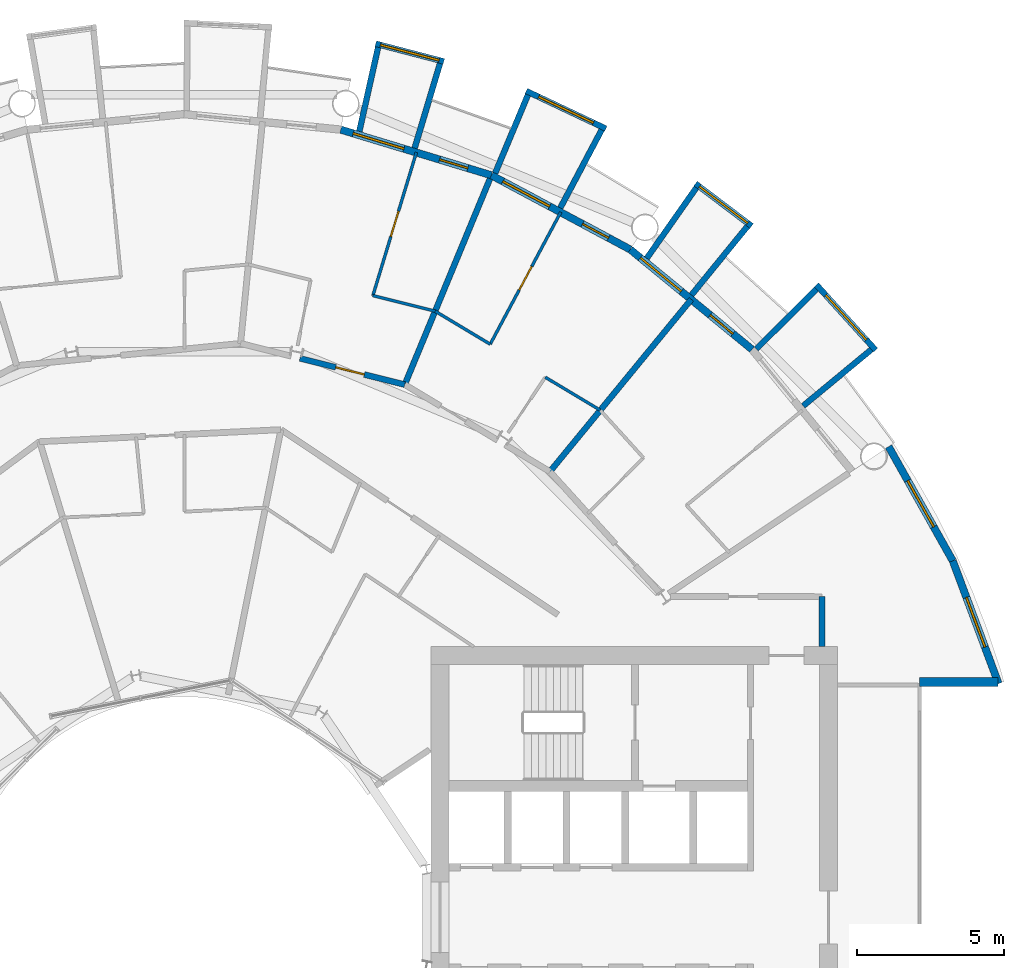
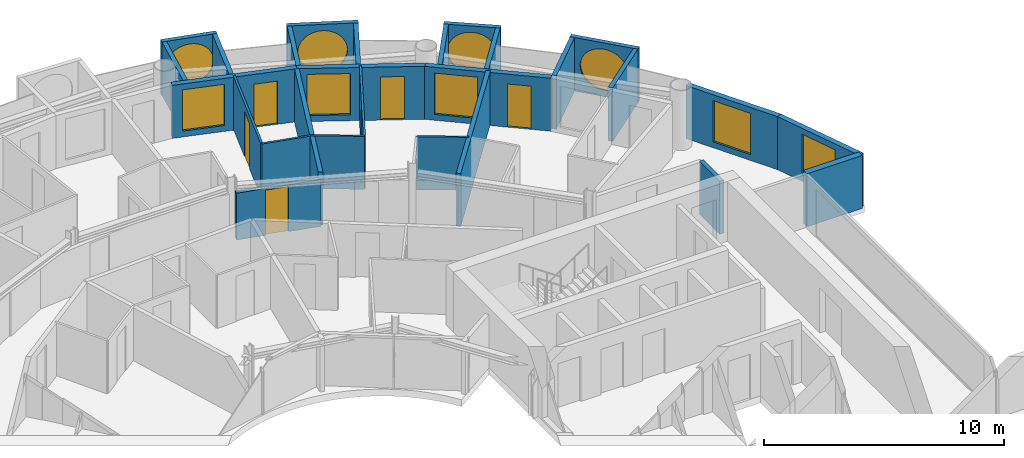
# One storey, part 23 of 26: 27 walls, 9 windows, 6 doors, 15 openings.
"""IFC4 building model written with IfcOpenShell, lengths in metres."""

from ifc_helpers import new_model, si_unit, direction, frame, frame_2d, origin, place, context, subcontext, project, spatial, rectangle, circle, extrude, material, layer, layer_set, type_object, element, fill, save


model = new_model("IFC4")

# Units and contexts
model_context = context("Model", 3, precision=1e-05, world=origin(), true_north=direction((0.0, 1.0)))
body_context = subcontext(model_context, "Body", "Model", "MODEL_VIEW")
ifc_project = project(units=[si_unit("LENGTHUNIT", "METRE"), si_unit("AREAUNIT", "SQUARE_METRE"), si_unit("VOLUMEUNIT", "CUBIC_METRE"), si_unit("PLANEANGLEUNIT", "RADIAN"), si_unit("MASSUNIT", "GRAM", prefix="KILO")], contexts=[model_context])

# Site, building, storey
site_placement = place(None, origin())
site = spatial("IfcSite", under=ifc_project, at=site_placement, CompositionType="ELEMENT")
building_placement = place(site_placement, origin())
building = spatial("IfcBuilding", under=site, at=building_placement, Name="Maasbend Ring Residences", CompositionType="ELEMENT")
storey_placement = place(building_placement, frame((0.0, 0.0, 123.85009765625)))
storey = spatial("IfcBuildingStorey", under=building, at=storey_placement, Name="L35", CompositionType="ELEMENT", Elevation=123.85009765625)

# Wall
ifc_material_1 = material(Name="Concrete C30/37", Category="concrete")
ifc_layer_1 = layer(ifc_material_1, 0.199951171875)
ifc_layer_set_1 = layer_set([ifc_layer_1], Name="Concrete C30/37")
wall_type_1 = type_object("IfcWallType", Name="CORRIDOR WALL 200 CONCRETE", PredefinedType="PARTITIONING", material=ifc_layer_set_1)
wall_1_placement = place(storey_placement, frame((21.675048828125, 9.199951171875, 0.0), z_axis=(0.0, 0.0, 1.0), x_axis=(0.0, 1.0, 0.0)))
element("IfcWall", 1, at=wall_1_placement, inside=storey, type_object=wall_type_1, Name="U-L35-w014", PredefinedType="PARTITIONING", context=body_context, shape_type="SweptSolid", body=[
    extrude(rectangle(XDim=1.699951171875, YDim=0.199951171875, at=frame_2d((0.85009765625, 0.0))), origin(), (0.0, 0.0, 1.0), 2.699951171875),
])

# Wall, opening, door
wall_2_placement = place(storey_placement, frame((3.93603515625, 19.0009765625, 0.0), z_axis=(0.0, 0.0, 1.0), x_axis=(0.970025155677, -0.243004521262, 0.0)))
wall_2 = element("IfcWall", 2, at=wall_2_placement, inside=storey, type_object=wall_type_1, Name="U-L35-w113", PredefinedType="PARTITIONING", context=body_context, shape_type="SweptSolid", body=[
    extrude(rectangle(XDim=3.675048828125, YDim=0.199951171875, at=frame_2d((1.83740234375, 0.0))), origin(), (0.0, 0.0, 1.0), 2.389892578125),
])
opening_1_placement = place(wall_2_placement, frame((1.258056640625, 0.0, 0.0)))
opening_1 = element("IfcOpeningElement", 3, at=opening_1_placement, cuts=wall_2, Name="Opening D-3507", PredefinedType="OPENING", context=body_context, shape_type="SweptSolid", body=[
    extrude(rectangle(XDim=1.0, YDim=2.300048828125, at=frame_2d((0.5, 1.14990234375))), frame((0.0, 0.10986328125, 0.0), z_axis=(0.0, -1.0, 0.0), x_axis=(1.0, 0.0, 0.0)), (0.0, 0.0, 1.0), 0.219970703125),
])
ifc_material_2 = material(Name="Timber, fire-rated, painted", Category="wood")
door_type_1 = type_object("IfcDoorType", Name="FLAT ENTRANCE DOOR 1000 X 2300 FIRE-RATED", OperationType="NOTDEFINED", PredefinedType="DOOR", material=ifc_material_2)
door_1_placement = place(opening_1_placement, origin())
door_1 = element("IfcDoor", 4, at=door_1_placement, inside=storey, type_object=door_type_1, Name="D-3507", OperationType="SINGLE_SWING_LEFT", OverallHeight=2.300048828125, OverallWidth=1.0, PredefinedType="DOOR", context=body_context, shape_type="SweptSolid", body=[
    extrude(rectangle(XDim=1.0, YDim=2.300048828125, at=frame_2d((0.5, 1.14990234375))), frame((0.0, 0.02490234375, 0.0), z_axis=(0.0, -1.0, 0.0), x_axis=(1.0, 0.0, 0.0)), (0.0, 0.0, 1.0), 0.050048828125),
])
fill(opening_1, door_1)

# Wall, opening, window
ifc_material_3 = material(Name="Pale anodised aluminium panel", Category="aluminium")
ifc_layer_2 = layer(ifc_material_3, 0.199951171875)
ifc_layer_set_2 = layer_set([ifc_layer_2], Name="EW-BOX")
wall_type_2 = type_object("IfcWallType", Name="EW-BOX", PredefinedType="SOLIDWALL", material=ifc_layer_set_2)
wall_3_placement = place(storey_placement, frame((23.5029296875, 19.281982421875, -0.030029296875), z_axis=(0.0, 0.0, 1.0), x_axis=(-0.671506829416, 0.740998365753, 0.0)))
wall_3 = element("IfcWall", 5, at=wall_3_placement, inside=storey, type_object=wall_type_2, Name="Box front N02", PredefinedType="SOLIDWALL", context=body_context, shape_type="SweptSolid", body=[
    extrude(rectangle(XDim=2.9931640625, YDim=0.199951171875, at=frame_2d((1.49658203125, 0.0))), origin(), (0.0, 0.0, 1.0), 2.72998046875),
])
opening_2_placement = place(wall_3_placement, frame((0.45654296875, 0.0, 0.330078125)))
opening_2 = element("IfcOpeningElement", 6, at=opening_2_placement, cuts=wall_3, Name="Opening W-RD", PredefinedType="OPENING", context=body_context, shape_type="SweptSolid", body=[
    extrude(circle(Radius=1.0400390625, at=frame_2d((1.0400390625, 1.0400390625))), frame((0.0, 0.10986328125, 0.0), z_axis=(0.0, -1.0, 0.0), x_axis=(1.0, 0.0, 0.0)), (0.0, 0.0, 1.0), 0.219970703125),
])
ifc_material_4 = material(Name="Aluminium and clear glass", Category="aluminium")
window_type_1 = type_object("IfcWindowType", Name="W-RD", PartitioningType="SINGLE_PANEL", PredefinedType="WINDOW", material=ifc_material_4)
window_1_placement = place(opening_2_placement, origin())
window_1 = element("IfcWindow", 7, at=window_1_placement, inside=storey, type_object=window_type_1, Name="Round window N02", OverallHeight=2.080078125, OverallWidth=2.080078125, PartitioningType="SINGLE_PANEL", PredefinedType="WINDOW", context=body_context, shape_type="SweptSolid", body=[
    extrude(circle(Radius=1.0400390625, at=frame_2d((1.0400390625, 1.0400390625))), frame((0.0, 0.030029296875, 0.0), z_axis=(0.0, -1.0, 0.0), x_axis=(1.0, 0.0, 0.0)), (0.0, 0.0, 1.0), 0.06005859375),
])
fill(opening_2, window_1)

# Walls
wall_4_placement = place(storey_placement, frame((21.041015625, 17.384033203125, -0.030029296875), z_axis=(0.0, 0.0, 1.0), x_axis=(0.770784861449, 0.63709551667, 0.0)))
element("IfcWall", 8, at=wall_4_placement, inside=storey, type_object=wall_type_2, Name="Box side wall N02 left", PredefinedType="SOLIDWALL", context=body_context, shape_type="SweptSolid", body=[
    extrude(rectangle(XDim=3.005859375, YDim=0.199951171875, at=frame_2d((1.5029296875, 0.0))), origin(), (0.0, 0.0, 1.0), 2.72998046875),
])
wall_5_placement = place(storey_placement, frame((19.449951171875, 19.322998046875, -0.030029296875), z_axis=(0.0, 0.0, 1.0), x_axis=(0.709727076896, 0.704476739375, 0.0)))
element("IfcWall", 9, at=wall_5_placement, inside=storey, type_object=wall_type_2, Name="Box side wall N02 right", PredefinedType="SOLIDWALL", context=body_context, shape_type="SweptSolid", body=[
    extrude(rectangle(XDim=2.883056640625, YDim=0.199951171875, at=frame_2d((1.44140625, 0.0))), origin(), (0.0, 0.0, 1.0), 2.72998046875),
])

# Wall, opening, window
wall_6_placement = place(storey_placement, frame((19.2890625, 23.4970703125, -0.030029296875), z_axis=(0.0, 0.0, 1.0), x_axis=(-0.797456837111, 0.603375996329, 0.0)))
wall_6 = element("IfcWall", 10, at=wall_6_placement, inside=storey, type_object=wall_type_2, Name="Box front N04", PredefinedType="SOLIDWALL", context=body_context, shape_type="SweptSolid", body=[
    extrude(rectangle(XDim=2.391357421875, YDim=0.199951171875, at=frame_2d((1.19580078125, 0.0))), origin(), (0.0, 0.0, 1.0), 2.72998046875),
])
opening_3_placement = place(wall_6_placement, frame((0.15576171875, 0.0, 0.330078125)))
opening_3 = element("IfcOpeningElement", 11, at=opening_3_placement, cuts=wall_6, Name="Opening W-RD", PredefinedType="OPENING", context=body_context, shape_type="SweptSolid", body=[
    extrude(circle(Radius=1.0400390625, at=frame_2d((1.0400390625, 1.0400390625))), frame((0.0, 0.10986328125, 0.0), z_axis=(0.0, -1.0, 0.0), x_axis=(1.0, 0.0, 0.0)), (0.0, 0.0, 1.0), 0.219970703125),
])
window_2_placement = place(opening_3_placement, origin())
window_2 = element("IfcWindow", 12, at=window_2_placement, inside=storey, type_object=window_type_1, Name="Round window N04", OverallHeight=2.080078125, OverallWidth=2.080078125, PartitioningType="SINGLE_PANEL", PredefinedType="WINDOW", context=body_context, shape_type="SweptSolid", body=[
    extrude(circle(Radius=1.0400390625, at=frame_2d((1.0400390625, 1.0400390625))), frame((0.0, 0.030029296875, 0.0), z_axis=(0.0, -1.0, 0.0), x_axis=(1.0, 0.0, 0.0)), (0.0, 0.0, 1.0), 0.06005859375),
])
fill(opening_3, window_2)

# Walls
wall_7_placement = place(storey_placement, frame((17.24609375, 21.155029296875, -0.030029296875), z_axis=(0.0, 0.0, 1.0), x_axis=(0.631741648902, 0.775179004516, 0.0)))
element("IfcWall", 13, at=wall_7_placement, inside=storey, type_object=wall_type_2, Name="Box side wall N04 left", PredefinedType="SOLIDWALL", context=body_context, shape_type="SweptSolid", body=[
    extrude(rectangle(XDim=3.005859375, YDim=0.199951171875, at=frame_2d((1.5029296875, 0.0))), origin(), (0.0, 0.0, 1.0), 2.72998046875),
])
wall_8_placement = place(storey_placement, frame((15.72607421875, 22.402099609375, -0.030029296875), z_axis=(0.0, 0.0, 1.0), x_axis=(0.574826383135, 0.818275399393, 0.0)))
element("IfcWall", 14, at=wall_8_placement, inside=storey, type_object=wall_type_2, Name="Box side wall N04 right", PredefinedType="SOLIDWALL", context=body_context, shape_type="SweptSolid", body=[
    extrude(rectangle(XDim=2.92919921875, YDim=0.199951171875, at=frame_2d((1.464599609375, 0.0))), origin(), (0.0, 0.0, 1.0), 2.72998046875),
])

# Wall, opening, window
wall_9_placement = place(storey_placement, frame((14.3349609375, 26.80810546875, -0.030029296875), z_axis=(0.0, 0.0, 1.0), x_axis=(-0.904000060331, 0.427532327342, 0.0)))
wall_9 = element("IfcWall", 15, at=wall_9_placement, inside=storey, type_object=wall_type_2, Name="Box front N06", PredefinedType="SOLIDWALL", context=body_context, shape_type="SweptSolid", body=[
    extrude(rectangle(XDim=2.993408203125, YDim=0.199951171875, at=frame_2d((1.49658203125, 0.0))), origin(), (0.0, 0.0, 1.0), 2.72998046875),
])
opening_4_placement = place(wall_9_placement, frame((0.45654296875, 0.0, 0.330078125)))
opening_4 = element("IfcOpeningElement", 16, at=opening_4_placement, cuts=wall_9, Name="Opening W-RD", PredefinedType="OPENING", context=body_context, shape_type="SweptSolid", body=[
    extrude(circle(Radius=1.0400390625, at=frame_2d((1.0400390625, 1.0400390625))), frame((0.0, 0.10986328125, 0.0), z_axis=(0.0, -1.0, 0.0), x_axis=(1.0, 0.0, 0.0)), (0.0, 0.0, 1.0), 0.219970703125),
])
window_3_placement = place(opening_4_placement, origin())
window_3 = element("IfcWindow", 17, at=window_3_placement, inside=storey, type_object=window_type_1, Name="Round window N06", OverallHeight=2.080078125, OverallWidth=2.080078125, PartitioningType="SINGLE_PANEL", PredefinedType="WINDOW", context=body_context, shape_type="SweptSolid", body=[
    extrude(circle(Radius=1.0400390625, at=frame_2d((1.0400390625, 1.0400390625))), frame((0.0, 0.030029296875, 0.0), z_axis=(0.0, -1.0, 0.0), x_axis=(1.0, 0.0, 0.0)), (0.0, 0.0, 1.0), 0.06005859375),
])
fill(opening_4, window_3)

# Walls
wall_10_placement = place(storey_placement, frame((12.787109375, 24.113037109375, -0.030029296875), z_axis=(0.0, 0.0, 1.0), x_axis=(0.468365282436, 0.883534924159, 0.0)))
element("IfcWall", 18, at=wall_10_placement, inside=storey, type_object=wall_type_2, Name="Box side wall N06 left", PredefinedType="SOLIDWALL", context=body_context, shape_type="SweptSolid", body=[
    extrude(rectangle(XDim=3.006103515625, YDim=0.199951171875, at=frame_2d((1.5029296875, 0.0))), origin(), (0.0, 0.0, 1.0), 2.72998046875),
])
wall_11_placement = place(storey_placement, frame((10.574951171875, 25.294921875, -0.030029296875), z_axis=(0.0, 0.0, 1.0), x_axis=(0.385697364644, 0.922625353492, 0.0)))
element("IfcWall", 19, at=wall_11_placement, inside=storey, type_object=wall_type_2, Name="Box side wall N06 right", PredefinedType="SOLIDWALL", context=body_context, shape_type="SweptSolid", body=[
    extrude(rectangle(XDim=2.88330078125, YDim=0.199951171875, at=frame_2d((1.441650390625, 0.0))), origin(), (0.0, 0.0, 1.0), 2.72998046875),
])

# Wall, opening, window
wall_12_placement = place(storey_placement, frame((8.827880859375, 29.090087890625, -0.030029296875), z_axis=(0.0, 0.0, 1.0), x_axis=(-0.967554339146, 0.252663018266, 0.0)))
wall_12 = element("IfcWall", 20, at=wall_12_placement, inside=storey, type_object=wall_type_2, Name="Box front N08", PredefinedType="SOLIDWALL", context=body_context, shape_type="SweptSolid", body=[
    extrude(rectangle(XDim=2.390625, YDim=0.199951171875, at=frame_2d((1.1953125, 0.0))), origin(), (0.0, 0.0, 1.0), 2.72998046875),
])
opening_5_placement = place(wall_12_placement, frame((0.15576171875, 0.0, 0.330078125)))
opening_5 = element("IfcOpeningElement", 21, at=opening_5_placement, cuts=wall_12, Name="Opening W-RD", PredefinedType="OPENING", context=body_context, shape_type="SweptSolid", body=[
    extrude(circle(Radius=1.0400390625, at=frame_2d((1.0400390625, 1.0400390625))), frame((0.0, 0.10986328125, 0.0), z_axis=(0.0, -1.0, 0.0), x_axis=(1.0, 0.0, 0.0)), (0.0, 0.0, 1.0), 0.219970703125),
])
window_4_placement = place(opening_5_placement, origin())
window_4 = element("IfcWindow", 22, at=window_4_placement, inside=storey, type_object=window_type_1, Name="Round window N08", OverallHeight=2.080078125, OverallWidth=2.080078125, PartitioningType="SINGLE_PANEL", PredefinedType="WINDOW", context=body_context, shape_type="SweptSolid", body=[
    extrude(circle(Radius=1.0400390625, at=frame_2d((1.0400390625, 1.0400390625))), frame((0.0, 0.030029296875, 0.0), z_axis=(0.0, -1.0, 0.0), x_axis=(1.0, 0.0, 0.0)), (0.0, 0.0, 1.0), 0.06005859375),
])
fill(opening_5, window_4)

# Walls
wall_13_placement = place(storey_placement, frame((7.8369140625, 26.14404296875, -0.030029296875), z_axis=(0.0, 0.0, 1.0), x_axis=(0.287064767992, 0.957911174889, 0.0)))
element("IfcWall", 23, at=wall_13_placement, inside=storey, type_object=wall_type_2, Name="Box side wall N08 left", PredefinedType="SOLIDWALL", context=body_context, shape_type="SweptSolid", body=[
    extrude(rectangle(XDim=3.00634765625, YDim=0.199951171875, at=frame_2d((1.503173828125, 0.0))), origin(), (0.0, 0.0, 1.0), 2.72998046875),
])
wall_14_placement = place(storey_placement, frame((5.95703125, 26.715087890625, -0.030029296875), z_axis=(0.0, 0.0, 1.0), x_axis=(0.217857287091, 0.975980636315, 0.0)))
element("IfcWall", 24, at=wall_14_placement, inside=storey, type_object=wall_type_2, Name="Box side wall N08 right", PredefinedType="SOLIDWALL", context=body_context, shape_type="SweptSolid", body=[
    extrude(rectangle(XDim=2.92822265625, YDim=0.199951171875, at=frame_2d((1.464111328125, 0.0))), origin(), (0.0, 0.0, 1.0), 2.72998046875),
])

# Wall, openings, door, window
ifc_material_5 = material(Name="Aluminium clad insulated panel", Category="aluminium")
ifc_layer_3 = layer(ifc_material_5, 0.25)
ifc_layer_set_3 = layer_set([ifc_layer_3], Name="EW-GL")
wall_type_3 = type_object("IfcWallType", Name="EW-GL", PredefinedType="SOLIDWALL", material=ifc_layer_set_3)
wall_15_placement = place(storey_placement, frame((19.303955078125, 19.303955078125, 0.0), z_axis=(0.0, 0.0, 1.0), x_axis=(-0.773019449054, 0.634382322723, 0.0)))
wall_15 = element("IfcWall", 25, at=wall_15_placement, inside=storey, type_object=wall_type_3, Name="External wall N02", PredefinedType="SOLIDWALL", context=body_context, shape_type="SweptSolid", body=[
    extrude(rectangle(XDim=5.351806640625, YDim=0.25, at=frame_2d((2.67578125, 0.0))), origin(), (0.0, 0.0, 1.0), 2.699951171875),
])
opening_6_placement = place(wall_15_placement, frame((0.841064453125, 0.0, 0.0)))
opening_6 = element("IfcOpeningElement", 26, at=opening_6_placement, cuts=wall_15, Name="Opening D-LG", PredefinedType="OPENING", context=body_context, shape_type="SweptSolid", body=[
    extrude(rectangle(XDim=1.0, YDim=2.199951171875, at=frame_2d((0.5, 1.10009765625))), frame((0.0, 0.135009765625, 0.0), z_axis=(0.0, -1.0, 0.0), x_axis=(1.0, 0.0, 0.0)), (0.0, 0.0, 1.0), 0.27001953125),
])
opening_7_placement = place(wall_15_placement, frame((3.110595703125, 0.0, 0.300048828125)))
opening_7 = element("IfcOpeningElement", 27, at=opening_7_placement, cuts=wall_15, Name="Opening W-BX", PredefinedType="OPENING", context=body_context, shape_type="SweptSolid", body=[
    extrude(rectangle(XDim=1.800048828125, YDim=2.10009765625, at=frame_2d((0.89990234375, 1.050048828125))), frame((0.0, 0.135009765625, 0.0), z_axis=(0.0, -1.0, 0.0), x_axis=(1.0, 0.0, 0.0)), (0.0, 0.0, 1.0), 0.27001953125),
])
ifc_material_6 = material(Name="Aluminium and clear glass", Category="aluminium")
door_type_2 = type_object("IfcDoorType", Name="D-LG", OperationType="SINGLE_SWING_LEFT", PredefinedType="DOOR", material=ifc_material_6)
door_2_placement = place(opening_6_placement, origin())
door_2 = element("IfcDoor", 28, at=door_2_placement, inside=storey, type_object=door_type_2, Name="Loggia door N03", OperationType="SINGLE_SWING_LEFT", OverallHeight=2.199951171875, OverallWidth=1.0, PredefinedType="DOOR", context=body_context, shape_type="SweptSolid", body=[
    extrude(rectangle(XDim=1.0, YDim=2.199951171875, at=frame_2d((0.5, 1.10009765625))), frame((0.0, 0.02490234375, 0.0), z_axis=(0.0, -1.0, 0.0), x_axis=(1.0, 0.0, 0.0)), (0.0, 0.0, 1.0), 0.050048828125),
])
fill(opening_6, door_2)
ifc_material_7 = material(Name="Aluminium and clear glass", Category="aluminium")
window_type_2 = type_object("IfcWindowType", Name="W-BX", PartitioningType="DOUBLE_PANEL_VERTICAL", PredefinedType="WINDOW", material=ifc_material_7)
window_5_placement = place(opening_7_placement, origin())
window_5 = element("IfcWindow", 29, at=window_5_placement, inside=storey, type_object=window_type_2, Name="Window N04 room to box", OverallHeight=2.10009765625, OverallWidth=1.800048828125, PartitioningType="SINGLE_PANEL", PredefinedType="WINDOW", context=body_context, shape_type="SweptSolid", body=[
    extrude(rectangle(XDim=1.800048828125, YDim=2.10009765625, at=frame_2d((0.89990234375, 1.050048828125))), frame((0.0, 0.030029296875, 0.0), z_axis=(0.0, -1.0, 0.0), x_axis=(1.0, 0.0, 0.0)), (0.0, 0.0, 1.0), 0.06005859375),
])
fill(opening_7, window_5)

wall_16_placement = place(storey_placement, frame((15.1669921875, 22.698974609375, 0.0), z_axis=(0.0, 0.0, 1.0), x_axis=(-0.881915646801, 0.471407246368, 0.0)))
wall_16 = element("IfcWall", 30, at=wall_16_placement, inside=storey, type_object=wall_type_3, Name="External wall N03", PredefinedType="SOLIDWALL", context=body_context, shape_type="SweptSolid", body=[
    extrude(rectangle(XDim=5.35205078125, YDim=0.25, at=frame_2d((2.676025390625, 0.0))), origin(), (0.0, 0.0, 1.0), 2.699951171875),
])
opening_8_placement = place(wall_16_placement, frame((0.841064453125, 0.0, 0.0)))
opening_8 = element("IfcOpeningElement", 31, at=opening_8_placement, cuts=wall_16, Name="Opening D-LG", PredefinedType="OPENING", context=body_context, shape_type="SweptSolid", body=[
    extrude(rectangle(XDim=1.0, YDim=2.199951171875, at=frame_2d((0.5, 1.10009765625))), frame((0.0, 0.135009765625, 0.0), z_axis=(0.0, -1.0, 0.0), x_axis=(1.0, 0.0, 0.0)), (0.0, 0.0, 1.0), 0.27001953125),
])
opening_9_placement = place(wall_16_placement, frame((3.110595703125, 0.0, 0.300048828125)))
opening_9 = element("IfcOpeningElement", 32, at=opening_9_placement, cuts=wall_16, Name="Opening W-BX", PredefinedType="OPENING", context=body_context, shape_type="SweptSolid", body=[
    extrude(rectangle(XDim=1.800048828125, YDim=2.10009765625, at=frame_2d((0.89990234375, 1.050048828125))), frame((0.0, 0.135009765625, 0.0), z_axis=(0.0, -1.0, 0.0), x_axis=(1.0, 0.0, 0.0)), (0.0, 0.0, 1.0), 0.27001953125),
])
door_3_placement = place(opening_8_placement, origin())
door_3 = element("IfcDoor", 33, at=door_3_placement, inside=storey, type_object=door_type_2, Name="Loggia door N05", OperationType="SINGLE_SWING_LEFT", OverallHeight=2.199951171875, OverallWidth=1.0, PredefinedType="DOOR", context=body_context, shape_type="SweptSolid", body=[
    extrude(rectangle(XDim=1.0, YDim=2.199951171875, at=frame_2d((0.5, 1.10009765625))), frame((0.0, 0.02490234375, 0.0), z_axis=(0.0, -1.0, 0.0), x_axis=(1.0, 0.0, 0.0)), (0.0, 0.0, 1.0), 0.050048828125),
])
fill(opening_8, door_3)
window_6_placement = place(opening_9_placement, origin())
window_6 = element("IfcWindow", 34, at=window_6_placement, inside=storey, type_object=window_type_2, Name="Window N06 room to box", OverallHeight=2.10009765625, OverallWidth=1.800048828125, PartitioningType="SINGLE_PANEL", PredefinedType="WINDOW", context=body_context, shape_type="SweptSolid", body=[
    extrude(rectangle(XDim=1.800048828125, YDim=2.10009765625, at=frame_2d((0.89990234375, 1.050048828125))), frame((0.0, 0.030029296875, 0.0), z_axis=(0.0, -1.0, 0.0), x_axis=(1.0, 0.0, 0.0)), (0.0, 0.0, 1.0), 0.06005859375),
])
fill(opening_9, window_6)

wall_17_placement = place(storey_placement, frame((10.447021484375, 25.221923828125, 0.0), z_axis=(0.0, 0.0, 1.0), x_axis=(-0.956965678721, 0.290201119486, 0.0)))
wall_17 = element("IfcWall", 35, at=wall_17_placement, inside=storey, type_object=wall_type_3, Name="External wall N04", PredefinedType="SOLIDWALL", context=body_context, shape_type="SweptSolid", body=[
    extrude(rectangle(XDim=5.351318359375, YDim=0.25, at=frame_2d((2.67578125, 0.0))), origin(), (0.0, 0.0, 1.0), 2.699951171875),
])
opening_10_placement = place(wall_17_placement, frame((0.841064453125, 0.0, 0.0)))
opening_10 = element("IfcOpeningElement", 36, at=opening_10_placement, cuts=wall_17, Name="Opening D-LG", PredefinedType="OPENING", context=body_context, shape_type="SweptSolid", body=[
    extrude(rectangle(XDim=1.0, YDim=2.199951171875, at=frame_2d((0.5, 1.10009765625))), frame((0.0, 0.135009765625, 0.0), z_axis=(0.0, -1.0, 0.0), x_axis=(1.0, 0.0, 0.0)), (0.0, 0.0, 1.0), 0.27001953125),
])
opening_11_placement = place(wall_17_placement, frame((3.110595703125, 0.0, 0.300048828125)))
opening_11 = element("IfcOpeningElement", 37, at=opening_11_placement, cuts=wall_17, Name="Opening W-BX", PredefinedType="OPENING", context=body_context, shape_type="SweptSolid", body=[
    extrude(rectangle(XDim=1.800048828125, YDim=2.10009765625, at=frame_2d((0.89990234375, 1.050048828125))), frame((0.0, 0.135009765625, 0.0), z_axis=(0.0, -1.0, 0.0), x_axis=(1.0, 0.0, 0.0)), (0.0, 0.0, 1.0), 0.27001953125),
])
door_4_placement = place(opening_10_placement, origin())
door_4 = element("IfcDoor", 38, at=door_4_placement, inside=storey, type_object=door_type_2, Name="Loggia door N07", OperationType="SINGLE_SWING_LEFT", OverallHeight=2.199951171875, OverallWidth=1.0, PredefinedType="DOOR", context=body_context, shape_type="SweptSolid", body=[
    extrude(rectangle(XDim=1.0, YDim=2.199951171875, at=frame_2d((0.5, 1.10009765625))), frame((0.0, 0.02490234375, 0.0), z_axis=(0.0, -1.0, 0.0), x_axis=(1.0, 0.0, 0.0)), (0.0, 0.0, 1.0), 0.050048828125),
])
fill(opening_10, door_4)
window_7_placement = place(opening_11_placement, origin())
window_7 = element("IfcWindow", 39, at=window_7_placement, inside=storey, type_object=window_type_2, Name="Window N08 room to box", OverallHeight=2.10009765625, OverallWidth=1.800048828125, PartitioningType="SINGLE_PANEL", PredefinedType="WINDOW", context=body_context, shape_type="SweptSolid", body=[
    extrude(rectangle(XDim=1.800048828125, YDim=2.10009765625, at=frame_2d((0.89990234375, 1.050048828125))), frame((0.0, 0.030029296875, 0.0), z_axis=(0.0, -1.0, 0.0), x_axis=(1.0, 0.0, 0.0)), (0.0, 0.0, 1.0), 0.06005859375),
])
fill(opening_11, window_7)

# Wall, opening, window
ifc_material_8 = material(Name="Aluminium clad insulated panel", Category="aluminium")
ifc_layer_4 = layer(ifc_material_8, 0.25)
ifc_layer_set_4 = layer_set([ifc_layer_4], Name="EW-HORN")
wall_type_4 = type_object("IfcWallType", Name="EW-HORN", PredefinedType="SOLIDWALL", material=ifc_layer_set_4)
wall_18_placement = place(storey_placement, frame((27.681884765625, 7.945068359375, 0.0), z_axis=(0.0, 0.0, 1.0), x_axis=(-0.349247811493, 0.937030397675, 0.0)))
wall_18 = element("IfcWall", 40, at=wall_18_placement, inside=storey, type_object=wall_type_4, Name="Horn wall 1.1", PredefinedType="SOLIDWALL", context=body_context, shape_type="SweptSolid", body=[
    extrude(rectangle(XDim=4.4521484375, YDim=0.25, at=frame_2d((2.22607421875, 0.0))), origin(), (0.0, 0.0, 1.0), 2.699951171875),
])
opening_12_placement = place(wall_18_placement, frame((1.32666015625, 0.0, 0.300048828125)))
opening_12 = element("IfcOpeningElement", 41, at=opening_12_placement, cuts=wall_18, Name="Opening W-BX", PredefinedType="OPENING", context=body_context, shape_type="SweptSolid", body=[
    extrude(rectangle(XDim=1.800048828125, YDim=2.10009765625, at=frame_2d((0.89990234375, 1.050048828125))), frame((0.0, 0.135009765625, 0.0), z_axis=(0.0, -1.0, 0.0), x_axis=(1.0, 0.0, 0.0)), (0.0, 0.0, 1.0), 0.27001953125),
])
window_8_placement = place(opening_12_placement, origin())
window_8 = element("IfcWindow", 42, at=window_8_placement, inside=storey, type_object=window_type_2, Name="Horn window 1.1", OverallHeight=2.10009765625, OverallWidth=1.800048828125, PartitioningType="SINGLE_PANEL", PredefinedType="WINDOW", context=body_context, shape_type="SweptSolid", body=[
    extrude(rectangle(XDim=1.800048828125, YDim=2.10009765625, at=frame_2d((0.89990234375, 1.050048828125))), frame((0.0, 0.030029296875, 0.0), z_axis=(0.0, -1.0, 0.0), x_axis=(1.0, 0.0, 0.0)), (0.0, 0.0, 1.0), 0.06005859375),
])
fill(opening_12, window_8)

wall_19_placement = place(storey_placement, frame((26.126953125, 12.116943359375, 0.0), z_axis=(0.0, 0.0, 1.0), x_axis=(-0.489696356642, 0.871893042919, 0.0)))
wall_19 = element("IfcWall", 43, at=wall_19_placement, inside=storey, type_object=wall_type_4, Name="Horn wall 1.2", PredefinedType="SOLIDWALL", context=body_context, shape_type="SweptSolid", body=[
    extrude(rectangle(XDim=4.45361328125, YDim=0.25, at=frame_2d((2.226806640625, 0.0))), origin(), (0.0, 0.0, 1.0), 2.699951171875),
])
opening_13_placement = place(wall_19_placement, frame((1.32666015625, 0.0, 0.300048828125)))
opening_13 = element("IfcOpeningElement", 44, at=opening_13_placement, cuts=wall_19, Name="Opening W-BX", PredefinedType="OPENING", context=body_context, shape_type="SweptSolid", body=[
    extrude(rectangle(XDim=1.800048828125, YDim=2.10009765625, at=frame_2d((0.89990234375, 1.050048828125))), frame((0.0, 0.135009765625, 0.0), z_axis=(0.0, -1.0, 0.0), x_axis=(1.0, 0.0, 0.0)), (0.0, 0.0, 1.0), 0.27001953125),
])
window_9_placement = place(opening_13_placement, origin())
window_9 = element("IfcWindow", 45, at=window_9_placement, inside=storey, type_object=window_type_2, Name="Horn window 1.2", OverallHeight=2.10009765625, OverallWidth=1.800048828125, PartitioningType="SINGLE_PANEL", PredefinedType="WINDOW", context=body_context, shape_type="SweptSolid", body=[
    extrude(rectangle(XDim=1.800048828125, YDim=2.10009765625, at=frame_2d((0.89990234375, 1.050048828125))), frame((0.0, 0.030029296875, 0.0), z_axis=(0.0, -1.0, 0.0), x_axis=(1.0, 0.0, 0.0)), (0.0, 0.0, 1.0), 0.06005859375),
])
fill(opening_13, window_9)

# Wall
ifc_material_9 = material(Name="Aluminium clad insulated panel", Category="aluminium")
ifc_layer_5 = layer(ifc_material_9, 0.300048828125)
ifc_layer_set_5 = layer_set([ifc_layer_5], Name="EW-RET")
wall_type_5 = type_object("IfcWallType", Name="EW-RET", PredefinedType="SOLIDWALL", material=ifc_layer_set_5)
wall_20_placement = place(storey_placement, frame((25.0, 8.0, 0.0), z_axis=(0.0, 0.0, 1.0), x_axis=(1.0, 0.0, 0.0)))
element("IfcWall", 46, at=wall_20_placement, inside=storey, type_object=wall_type_5, Name="Notch return wall east north", PredefinedType="SOLIDWALL", context=body_context, shape_type="SweptSolid", body=[
    extrude(rectangle(XDim=2.6669921875, YDim=0.300048828125, at=frame_2d((1.33349609375, 0.0))), origin(), (0.0, 0.0, 1.0), 2.699951171875),
])

# Wall, opening, door
ifc_material_10 = material(Name="Gypsum board on steel studs", Category="steel")
ifc_layer_6 = layer(ifc_material_10, 0.10009765625)
ifc_layer_set_6 = layer_set([ifc_layer_6], Name="PARTITION 100 GYPSUM")
wall_type_6 = type_object("IfcWallType", Name="PARTITION 100 GYPSUM", PredefinedType="PARTITIONING", material=ifc_layer_set_6)
wall_21_placement = place(storey_placement, frame((6.41796875, 21.133056640625, 0.0), z_axis=(0.0, 0.0, 1.0), x_axis=(0.290651827018, 0.956828885147, 0.0)))
wall_21 = element("IfcWall", 47, at=wall_21_placement, inside=storey, type_object=wall_type_6, Name="U-L35-w080", PredefinedType="PARTITIONING", context=body_context, shape_type="SweptSolid", body=[
    extrude(rectangle(XDim=5.088623046875, YDim=0.10009765625, at=frame_2d((2.54443359375, 0.0))), origin(), (0.0, 0.0, 1.0), 2.699951171875),
])
opening_14_placement = place(wall_21_placement, frame((2.093994140625, 0.0, 0.0)))
opening_14 = element("IfcOpeningElement", 48, at=opening_14_placement, cuts=wall_21, Name="Opening D-3509", PredefinedType="OPENING", context=body_context, shape_type="SweptSolid", body=[
    extrude(rectangle(XDim=0.89990234375, YDim=2.300048828125, at=frame_2d((0.449951171875, 1.14990234375))), frame((0.0, 0.06005859375, 0.0), z_axis=(0.0, -1.0, 0.0), x_axis=(1.0, 0.0, 0.0)), (0.0, 0.0, 1.0), 0.1201171875),
])
ifc_material_11 = material(Name="Timber, painted", Category="wood")
door_type_3 = type_object("IfcDoorType", Name="INTERNAL DOOR 900 X 2300", OperationType="NOTDEFINED", PredefinedType="DOOR", material=ifc_material_11)
door_5_placement = place(opening_14_placement, origin())
door_5 = element("IfcDoor", 49, at=door_5_placement, inside=storey, type_object=door_type_3, Name="D-3509", OperationType="SINGLE_SWING_LEFT", OverallHeight=2.300048828125, OverallWidth=0.89990234375, PredefinedType="DOOR", context=body_context, shape_type="SweptSolid", body=[
    extrude(rectangle(XDim=0.89990234375, YDim=2.300048828125, at=frame_2d((0.449951171875, 1.14990234375))), frame((0.0, 0.02490234375, 0.0), z_axis=(0.0, -1.0, 0.0), x_axis=(1.0, 0.0, 0.0)), (0.0, 0.0, 1.0), 0.050048828125),
])
fill(opening_14, door_5)

wall_22_placement = place(storey_placement, frame((10.405029296875, 19.48095703125, 0.0), z_axis=(0.0, 0.0, 1.0), x_axis=(0.471170755767, 0.882042016522, 0.0)))
wall_22 = element("IfcWall", 50, at=wall_22_placement, inside=storey, type_object=wall_type_6, Name="U-L35-w085", PredefinedType="PARTITIONING", context=body_context, shape_type="SweptSolid", body=[
    extrude(rectangle(XDim=5.08935546875, YDim=0.10009765625, at=frame_2d((2.544677734375, 0.0))), origin(), (0.0, 0.0, 1.0), 2.699951171875),
])
opening_15_placement = place(wall_22_placement, frame((2.094970703125, 0.0, 0.0)))
opening_15 = element("IfcOpeningElement", 51, at=opening_15_placement, cuts=wall_22, Name="Opening D-3506", PredefinedType="OPENING", context=body_context, shape_type="SweptSolid", body=[
    extrude(rectangle(XDim=0.89990234375, YDim=2.300048828125, at=frame_2d((0.449951171875, 1.14990234375))), frame((0.0, 0.06005859375, 0.0), z_axis=(0.0, -1.0, 0.0), x_axis=(1.0, 0.0, 0.0)), (0.0, 0.0, 1.0), 0.1201171875),
])
door_6_placement = place(opening_15_placement, origin())
door_6 = element("IfcDoor", 52, at=door_6_placement, inside=storey, type_object=door_type_3, Name="D-3506", OperationType="SINGLE_SWING_RIGHT", OverallHeight=2.300048828125, OverallWidth=0.89990234375, PredefinedType="DOOR", context=body_context, shape_type="SweptSolid", body=[
    extrude(rectangle(XDim=0.89990234375, YDim=2.300048828125, at=frame_2d((0.449951171875, 1.14990234375))), frame((0.0, 0.02490234375, 0.0), z_axis=(0.0, -1.0, 0.0), x_axis=(1.0, 0.0, 0.0)), (0.0, 0.0, 1.0), 0.050048828125),
])
fill(opening_15, door_6)

# Walls
wall_23_placement = place(storey_placement, frame((6.41796875, 21.133056640625, 0.0), z_axis=(0.0, 0.0, 1.0), x_axis=(0.97003047456, -0.242983288366, 0.0)))
element("IfcWall", 53, at=wall_23_placement, inside=storey, type_object=wall_type_6, Name="U-L35-w126", PredefinedType="PARTITIONING", context=body_context, shape_type="SweptSolid", body=[
    extrude(rectangle(XDim=2.181396484375, YDim=0.10009765625, at=frame_2d((1.0908203125, 0.0))), origin(), (0.0, 0.0, 1.0), 2.699951171875),
])
for number, where, z_axis, x_axis, name in (
    (54, (8.533935546875, 20.60302734375, 0.0), (0.0, 0.0, 1.0), (0.857611386679, -0.514298268943, 0.0), "U-L35-w127"),
    (55, (12.27587890625, 18.35888671875, 0.0), (0.0, 0.0, 1.0), (0.857660741648, -0.514215958752, 0.0), "U-L35-w128"),
):
    element("IfcWall", number, at=place(storey_placement, frame(where, z_axis=z_axis, x_axis=x_axis)), inside=storey, type_object=wall_type_6, Name=name, PredefinedType="PARTITIONING", context=body_context, shape_type="SweptSolid", body=[
        extrude(rectangle(XDim=2.181640625, YDim=0.10009765625, at=frame_2d((1.0908203125, 0.0))), origin(), (0.0, 0.0, 1.0), 2.699951171875),
    ])
ifc_material_12 = material(Name="Concrete C30/37", Category="concrete")
ifc_layer_7 = layer(ifc_material_12, 0.199951171875)
ifc_layer_set_7 = layer_set([ifc_layer_7], Name="Concrete C30/37")
wall_type_7 = type_object("IfcWallType", Name="PARTY WALL 200 CONCRETE", PredefinedType="PARTITIONING", material=ifc_layer_set_7)
wall_24_placement = place(storey_placement, frame((7.5009765625, 18.10791015625, 0.0), z_axis=(0.0, 0.0, 1.0), x_axis=(0.382490346157, 0.923959487801, 0.0)))
element("IfcWall", 56, at=wall_24_placement, inside=storey, type_object=wall_type_7, Name="U-L35-w082", PredefinedType="PARTITIONING", context=body_context, shape_type="SweptSolid", body=[
    extrude(rectangle(XDim=7.573974609375, YDim=0.199951171875, at=frame_2d((3.787109375, 0.0))), origin(), (0.0, 0.0, 1.0), 2.699951171875),
])
wall_25_placement = place(storey_placement, frame((12.43408203125, 15.15087890625, 0.0), z_axis=(0.0, 0.0, 1.0), x_axis=(0.634381303318, 0.773020285633, 0.0)))
element("IfcWall", 57, at=wall_25_placement, inside=storey, type_object=wall_type_7, Name="U-L35-w089", PredefinedType="PARTITIONING", context=body_context, shape_type="SweptSolid", body=[
    extrude(rectangle(XDim=7.57568359375, YDim=0.199951171875, at=frame_2d((3.787841796875, 0.0))), origin(), (0.0, 0.0, 1.0), 2.699951171875),
])

save(model, "model.ifc")
